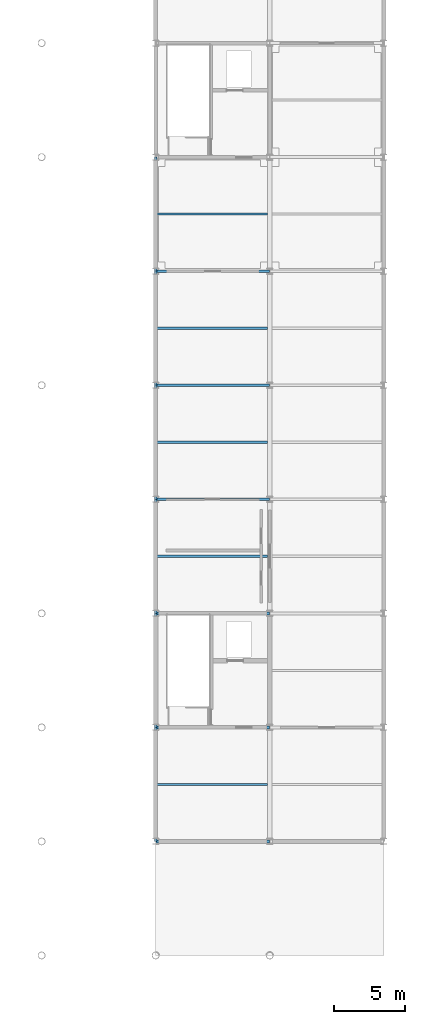
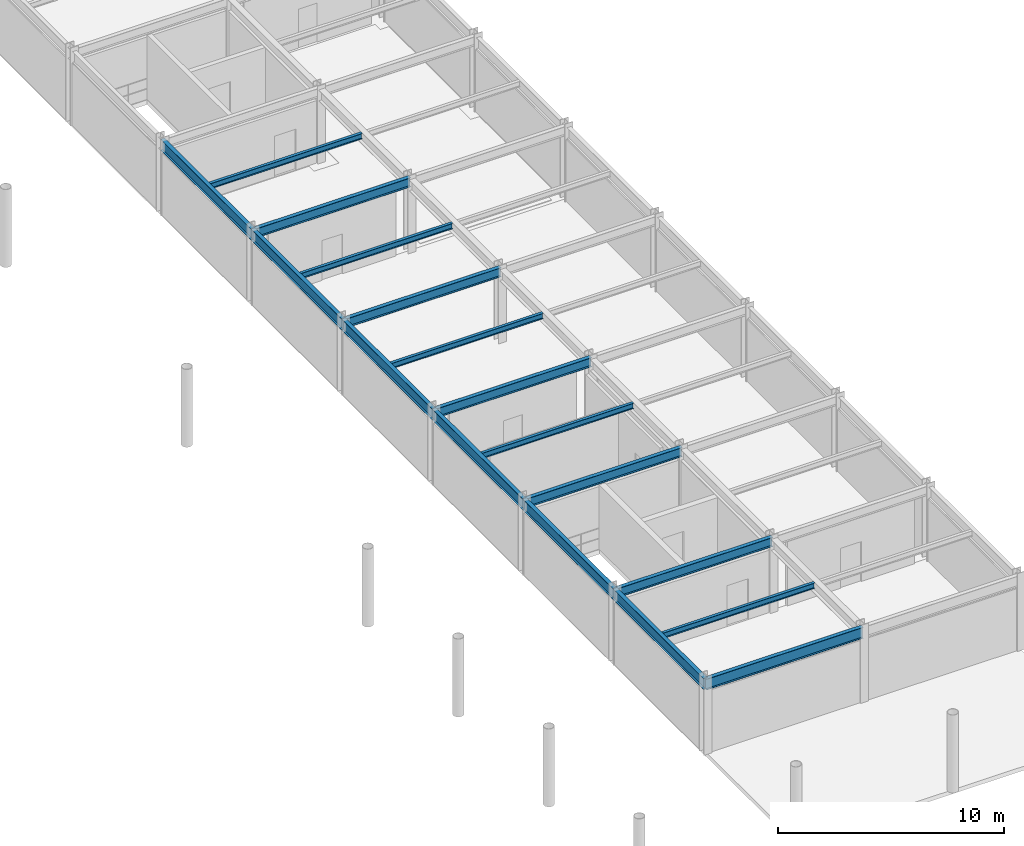
# One storey, part 13 of 54: 17 beams.
"""IFC4 building model written with IfcOpenShell, lengths in metres."""

import ifcopenshell
import ifcopenshell.guid

model = None  # the IFC model being written
_history = None  # IfcOwnerHistory: only IFC2X3 demands one
_inside = {}  # id of a spatial element -> (the spatial element, [elements in it])
_under = {}  # id of a project, library or spatial element -> (it, [spatial elements below it])
_declared = {}  # id of a project -> (the project, [libraries it declares])
_typed = {}  # id of a type object -> (the type object, [elements of that type])
_made_of = {}  # id of a material, layer set ... -> (it, [elements and type objects made of it])


def new_model(schema):
    """Start an empty IFC model of exactly this schema.

    Asked for "IFC4X3", IfcOpenShell would pick the latest addendum, in which some entities
    have other attributes; the version numbers below select the first issue.
    IFC2X3 requires an IfcOwnerHistory on every rooted entity: one is made here for all.
    """
    global model, _history
    if schema == "IFC4X3":
        model = ifcopenshell.file(schema_version=(4, 3, 0, 0))
    else:
        model = ifcopenshell.file(schema=schema)
    _inside.clear()
    _under.clear()
    _declared.clear()
    _typed.clear()
    _made_of.clear()
    _history = None
    if model.schema == "IFC2X3":
        org = make("IfcOrganization", Name="unknown")
        user = make(
            "IfcPersonAndOrganization",
            ThePerson=make("IfcPerson", FamilyName="unknown"),
            TheOrganization=org,
        )
        app = make(
            "IfcApplication",
            ApplicationDeveloper=org,
            Version="unknown",
            ApplicationFullName="unknown",
            ApplicationIdentifier="unknown",
        )
        _history = make(
            "IfcOwnerHistory",
            OwningUser=user,
            OwningApplication=app,
            ChangeAction="ADDED",
            CreationDate=0,
        )
    return model


def make(cls, **values):
    """One entity of the class cls with the attributes given. An attribute that is None is left unset."""
    return model.create_entity(
        cls, **{name: value for name, value in values.items() if value is not None}
    )


def rooted(cls, **values):
    """An entity with a GlobalId (a new one), such as an element, a storey or a relation."""
    return make(cls, GlobalId=ifcopenshell.guid.new(), OwnerHistory=_history, **values)


def si_unit(unit_type, name, prefix=None):
    """IfcSIUnit, for example si_unit("LENGTHUNIT", "METRE", prefix="MILLI")."""
    return make("IfcSIUnit", UnitType=unit_type, Prefix=prefix, Name=name)


def assignment(units):
    """IfcUnitAssignment: the units of a project."""
    return None if units is None else make("IfcUnitAssignment", Units=units)


def point(xyz):
    """IfcCartesianPoint."""
    return None if xyz is None else make("IfcCartesianPoint", Coordinates=xyz)


def direction(xyz):
    """IfcDirection."""
    return None if xyz is None else make("IfcDirection", DirectionRatios=xyz)


def frame(location, z_axis=None, x_axis=None):
    """IfcAxis2Placement3D, a coordinate frame: its origin and axes. An axis left out is left unset."""
    return make(
        "IfcAxis2Placement3D",
        Location=point(location),
        Axis=direction(z_axis),
        RefDirection=direction(x_axis),
    )


def frame_2d(location, x_axis=None):
    """IfcAxis2Placement2D, a coordinate frame in the plane: its origin and x axis."""
    return make(
        "IfcAxis2Placement2D", Location=point(location), RefDirection=direction(x_axis)
    )


def origin():
    """The frame at (0, 0, 0) with its axes left unset."""
    return frame((0.0, 0.0, 0.0))


def origin_2d():
    """The frame at (0, 0) in the plane with its x axis left unset."""
    return frame_2d((0.0, 0.0))


def place(relative_to, where):
    """IfcLocalPlacement: puts the frame where relative to a parent placement (None: the world)."""
    return make(
        "IfcLocalPlacement", PlacementRelTo=relative_to, RelativePlacement=where
    )


def context(
    kind, dimensions, precision=None, world=None, true_north=None, identifier=None
):
    """IfcGeometricRepresentationContext, for example the 3D "Model" context."""
    return make(
        "IfcGeometricRepresentationContext",
        ContextIdentifier=identifier,
        ContextType=kind,
        CoordinateSpaceDimension=dimensions,
        Precision=precision,
        WorldCoordinateSystem=world,
        TrueNorth=true_north,
    )


def subcontext(parent, identifier, kind, view, scale=None):
    """IfcGeometricRepresentationSubContext, for example "Body" below "Model"."""
    return make(
        "IfcGeometricRepresentationSubContext",
        ContextIdentifier=identifier,
        ContextType=kind,
        ParentContext=parent,
        TargetScale=scale,
        TargetView=view,
    )


def project(units=None, contexts=None):
    """IfcProject with its units and contexts."""
    return rooted(
        "IfcProject",
        Name="project",
        RepresentationContexts=contexts,
        UnitsInContext=assignment(units),
    )


def spatial(cls, under=None, at=None, **own):
    """A site, building, storey or space (cls), placed at a placement, below another one or the project."""
    s = rooted(cls, ObjectPlacement=at, **own)
    if under is not None:
        _under.setdefault(under.id(), (under, []))[1].append(s)
    return s


def profile(cls, at=None, kind="AREA", **sizes):
    """A parametric profile (cls). Its sizes go by their IFC names, for example OverallWidth=200.0."""
    return make(cls, ProfileType=kind, Position=at, **sizes)


def i_section(**sizes):
    """IfcIShapeProfileDef."""
    return profile("IfcIShapeProfileDef", **sizes)


def extrude(swept, where, along, depth):
    """IfcExtrudedAreaSolid: the profile swept, set in the frame where, extruded along a direction by depth."""
    return make(
        "IfcExtrudedAreaSolid",
        SweptArea=swept,
        Position=where,
        ExtrudedDirection=direction(along),
        Depth=depth,
    )


def shape(context_of_items, identifier, shape_type, items):
    """IfcShapeRepresentation: the items that make up one representation, for example the "Body"."""
    return make(
        "IfcShapeRepresentation",
        ContextOfItems=context_of_items,
        RepresentationIdentifier=identifier,
        RepresentationType=shape_type,
        Items=items,
    )


def material(Name=None, Category=None):
    """IfcMaterial."""
    return make("IfcMaterial", Name=Name, Category=Category)


def material_profile(
    of_material, cross_section, Name=None, Category=None, Priority=None
):
    """IfcMaterialProfile: a cross section and its material."""
    return make(
        "IfcMaterialProfile",
        Name=Name,
        Material=of_material,
        Profile=cross_section,
        Priority=Priority,
        Category=Category,
    )


def profile_set(profiles, Name=None, composite=None):
    """IfcMaterialProfileSet."""
    return make(
        "IfcMaterialProfileSet",
        Name=Name,
        MaterialProfiles=profiles,
        CompositeProfile=composite,
    )


def made_of(thing, what):
    """Note that an element or type object is made of a material, layer set ...; save() writes the relation."""
    if what is not None:
        _made_of.setdefault(what.id(), (what, []))[1].append(thing)
    return thing


def type_object(cls, material=None, **own):
    """A type object (cls), such as IfcWallType, which elements share."""
    return made_of(rooted(cls, **own), material)


def element(
    cls,
    number,
    at=None,
    inside=None,
    cuts=None,
    type_object=None,
    material=None,
    context=None,
    identifier="Body",
    shape_type=None,
    held_by="IfcProductDefinitionShape",
    body=None,
    shapes=None,
    **own,
):
    """One element of the class cls, such as IfcWall. Its Tag is "e" and its number.

    at: its placement. inside: the storey or other place that contains it. cuts: it is an
    opening in that element (IfcRelVoidsElement). A single representation is given by context,
    identifier, shape_type and body (its items); several are given by shapes. held_by: the class
    of the entity that holds the representations. save() writes the other relations.
    """
    e = rooted(cls, Tag="e%d" % number, ObjectPlacement=at, **own)
    if body is not None:
        shapes = [shape(context, identifier, shape_type, body)]
    if shapes is not None:
        e.Representation = make(held_by, Representations=shapes)
    if inside is not None:
        _inside.setdefault(inside.id(), (inside, []))[1].append(e)
    if cuts is not None:
        rooted(
            "IfcRelVoidsElement", RelatingBuildingElement=cuts, RelatedOpeningElement=e
        )
    if type_object is not None:
        _typed.setdefault(type_object.id(), (type_object, []))[1].append(e)
    return made_of(e, material)


def aggregate(whole, parts):
    """IfcRelAggregates: a whole, such as a stair, and the parts it consists of."""
    return rooted("IfcRelAggregates", RelatingObject=whole, RelatedObjects=parts)


def save(model, path):
    """Write the relations noted so far, then the file.

    IfcRelAggregates (storeys below a building ...), IfcRelContainedInSpatialStructure (elements
    in a storey), IfcRelDefinesByType, IfcRelAssociatesMaterial and IfcRelDeclares: one each for
    every whole, place, type object, material and project.
    """
    for whole, parts in _under.values():
        aggregate(whole, parts)
    for where, things in _inside.values():
        rooted(
            "IfcRelContainedInSpatialStructure",
            RelatedElements=things,
            RelatingStructure=where,
        )
    for kind, things in _typed.values():
        rooted("IfcRelDefinesByType", RelatedObjects=things, RelatingType=kind)
    for what, things in _made_of.values():
        rooted("IfcRelAssociatesMaterial", RelatedObjects=things, RelatingMaterial=what)
    for by, libraries in _declared.values():
        rooted("IfcRelDeclares", RelatingContext=by, RelatedDefinitions=libraries)
    model.write(path)


model = new_model("IFC4")

# Units and contexts
model_context = context("Model", 3, precision=1e-05, world=origin(), true_north=direction((0.0, 1.0)))
body_context = subcontext(model_context, "Body", "Model", "MODEL_VIEW")
ifc_project = project(units=[si_unit("LENGTHUNIT", "METRE"), si_unit("AREAUNIT", "SQUARE_METRE"), si_unit("VOLUMEUNIT", "CUBIC_METRE"), si_unit("PLANEANGLEUNIT", "RADIAN"), si_unit("MASSUNIT", "GRAM", prefix="KILO")], contexts=[model_context])

# Site, building, storey
site_placement = place(None, origin())
site = spatial("IfcSite", under=ifc_project, at=site_placement, CompositionType="ELEMENT")
building_placement = place(site_placement, origin())
building = spatial("IfcBuilding", under=site, at=building_placement, Name="Haebicheon Civic Stadium", CompositionType="ELEMENT")
storey_placement = place(building_placement, frame((0.0, 0.0, 22.800048828125)))
storey = spatial("IfcBuildingStorey", under=building, at=storey_placement, Name="L06", CompositionType="ELEMENT", Elevation=22.800048828125)

# Beams
ifc_material_1 = material(Name="Steel SM355 (S355)", Category="steel")
ifc_material_profile_1 = material_profile(ifc_material_1, i_section(OverallWidth=0.199951171875, OverallDepth=0.5, WebThickness=0.010009765625, FlangeThickness=0.01611328125, at=origin_2d()), Name="H-500x200x10x16")
ifc_profile_set_1 = profile_set([ifc_material_profile_1], Name="Steel SM355 (S355)")
beam_type_1 = type_object("IfcBeamType", Name="BM-ST-H500", PredefinedType="BEAM", material=ifc_profile_set_1)
for number, where, z_axis, x_axis, name in (
    (1, (144.0, 64.0, 3.72998046875), (1.0, 0.0, 0.0), (0.0, 1.0, 0.0), "L06 beam J/19-20"),
    (2, (144.0, 72.0, 3.72998046875), (1.0, 0.0, 0.0), (0.0, 1.0, 0.0), "L06 beam K/19-20"),
    (3, (144.0, 80.0, 3.72998046875), (1.0, 0.0, 0.0), (0.0, 1.0, 0.0), "L06 beam L/19-20"),
    (4, (144.0, 88.0, 3.72998046875), (1.0, 0.0, 0.0), (0.0, 1.0, 0.0), "L06 beam M/19-20"),
    (5, (144.0, 96.0, 3.72998046875), (1.0, 0.0, 0.0), (0.0, 1.0, 0.0), "L06 beam N/19-20"),
):
    element("IfcBeam", number, at=place(storey_placement, frame(where, z_axis=z_axis, x_axis=x_axis)), inside=storey, type_object=beam_type_1, material=ifc_profile_set_1, Name=name, PredefinedType="BEAM", context=body_context, shape_type="SweptSolid", body=[
        extrude(i_section(OverallWidth=0.199951171875, OverallDepth=0.5, WebThickness=0.010009765625, FlangeThickness=0.01611328125, at=origin_2d()), origin(), (0.0, 0.0, 1.0), 8.0),
    ])
ifc_material_2 = material(Name="Steel SM355 (S355)", Category="steel")
ifc_material_profile_2 = material_profile(ifc_material_2, i_section(OverallWidth=0.14990234375, OverallDepth=0.300048828125, WebThickness=0.006591796875, FlangeThickness=0.009033203125, at=origin_2d()), Name="H-300x150x6.5x9")
ifc_profile_set_2 = profile_set([ifc_material_profile_2], Name="Steel SM355 (S355)")
beam_type_2 = type_object("IfcBeamType", Name="JST-ST-H300", PredefinedType="JOIST", material=ifc_profile_set_2)
for number, where, z_axis, x_axis, name in (
    (6, (144.10009765625, 60.0, 3.829833984375), (1.0, 0.0, 0.0), (0.0, 1.0, 0.0), "L06 secondary joist 18-07"),
    (7, (144.10009765625, 76.0, 3.829833984375), (1.0, 0.0, 0.0), (0.0, 1.0, 0.0), "L06 secondary joist 18-09"),
    (8, (144.10009765625, 84.0, 3.829833984375), (1.0, 0.0, 0.0), (0.0, 1.0, 0.0), "L06 secondary joist 18-10"),
    (9, (144.10009765625, 92.0, 3.829833984375), (1.0, 0.0, 0.0), (0.0, 1.0, 0.0), "L06 secondary joist 18-11"),
    (10, (144.10009765625, 100.0, 3.829833984375), (1.0, 0.0, 0.0), (0.0, 1.0, 0.0), "L06 secondary joist 18-12"),
):
    element("IfcBeam", number, at=place(storey_placement, frame(where, z_axis=z_axis, x_axis=x_axis)), inside=storey, type_object=beam_type_2, material=ifc_profile_set_2, Name=name, PredefinedType="JOIST", context=body_context, shape_type="SweptSolid", body=[
        extrude(i_section(OverallWidth=0.14990234375, OverallDepth=0.300048828125, WebThickness=0.006591796875, FlangeThickness=0.009033203125, at=origin_2d()), origin(), (0.0, 0.0, 1.0), 7.75),
    ])
ifc_material_3 = material(Name="Steel SM355 (S355)", Category="steel")
ifc_material_profile_3 = material_profile(ifc_material_3, i_section(OverallWidth=0.199951171875, OverallDepth=0.60009765625, WebThickness=0.010986328125, FlangeThickness=0.01708984375, at=origin_2d()), Name="H-600x200x11x17")
ifc_profile_set_3 = profile_set([ifc_material_profile_3], Name="Steel SM355 (S355)")
beam_type_3 = type_object("IfcBeamType", Name="SPD-ST-H600B", PredefinedType="SPANDREL", material=ifc_profile_set_3)
for number, where, z_axis, x_axis, name in (
    (11, (144.0, 56.0, 3.679931640625), (0.0, 1.0, 0.0), (-1.0, 0.0, 0.0), "L06 girder 19/H-J"),
    (12, (144.0, 64.0, 3.679931640625), (0.0, 1.0, 0.0), (-1.0, 0.0, 0.0), "L06 girder 19/J-K"),
    (13, (144.0, 72.0, 3.679931640625), (0.0, 1.0, 0.0), (-1.0, 0.0, 0.0), "L06 girder 19/K-L"),
    (14, (144.0, 80.0, 3.679931640625), (0.0, 1.0, 0.0), (-1.0, 0.0, 0.0), "L06 girder 19/L-M"),
    (15, (144.0, 88.0, 3.679931640625), (0.0, 1.0, 0.0), (-1.0, 0.0, 0.0), "L06 girder 19/M-N"),
    (16, (144.0, 96.0, 3.679931640625), (0.0, 1.0, 0.0), (-1.0, 0.0, 0.0), "L06 girder 19/N-P"),
    (17, (144.0, 56.0, 3.679931640625), (1.0, 0.0, 0.0), (0.0, 1.0, 0.0), "L06 beam H/19-20"),
):
    element("IfcBeam", number, at=place(storey_placement, frame(where, z_axis=z_axis, x_axis=x_axis)), inside=storey, type_object=beam_type_3, material=ifc_profile_set_3, Name=name, PredefinedType="SPANDREL", context=body_context, shape_type="SweptSolid", body=[
        extrude(i_section(OverallWidth=0.199951171875, OverallDepth=0.60009765625, WebThickness=0.010986328125, FlangeThickness=0.01708984375, at=origin_2d()), origin(), (0.0, 0.0, 1.0), 8.0),
    ])

save(model, "model.ifc")
